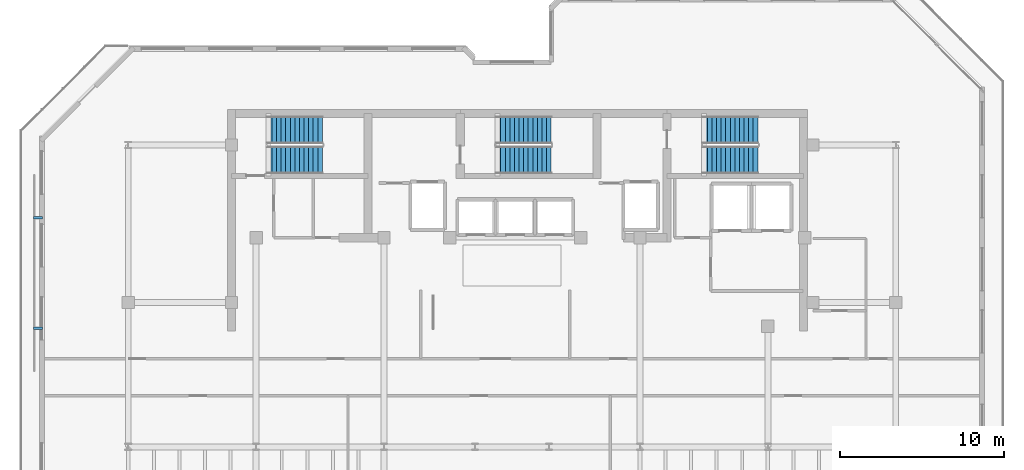
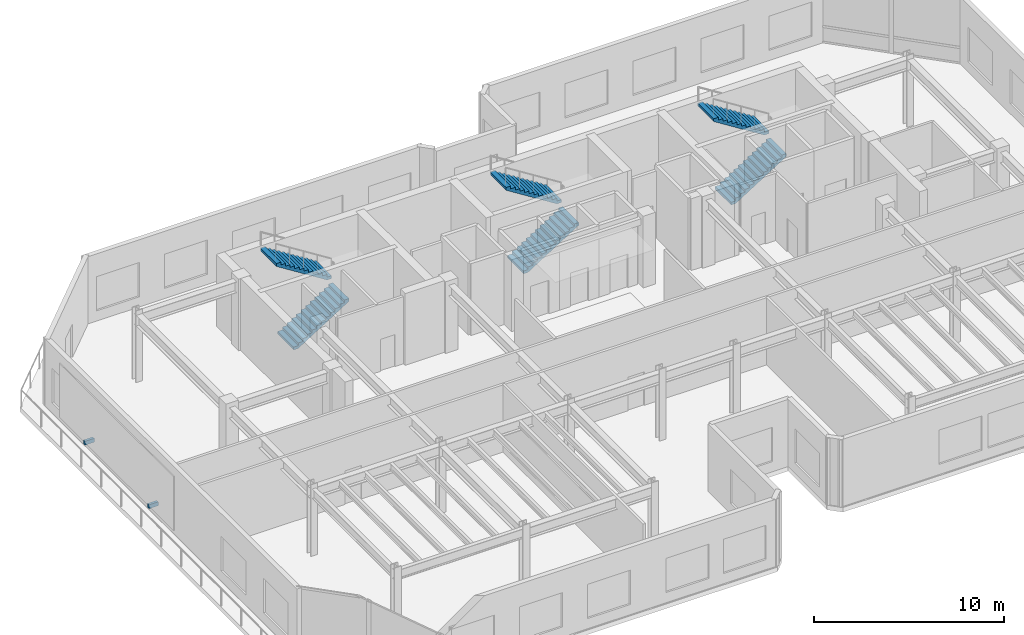
# One storey, part 9 of 12: 6 stair flights, 2 discrete accessories, 3 elements without a shape of their own.
"""IFC4 building model written with IfcOpenShell, lengths in metres."""

from ifc_helpers import new_model, si_unit, direction, frame, origin, origin_2d, place, context, subcontext, project, spatial, polyline, rectangle, outline, extrude, material, type_object, element, aggregate, save


model = new_model("IFC4")

# Units and contexts
model_context = context("Model", 3, precision=1e-05, world=origin(), true_north=direction((0.0, 1.0)))
body_context = subcontext(model_context, "Body", "Model", "MODEL_VIEW")
ifc_project = project(units=[si_unit("LENGTHUNIT", "METRE"), si_unit("AREAUNIT", "SQUARE_METRE"), si_unit("VOLUMEUNIT", "CUBIC_METRE"), si_unit("PLANEANGLEUNIT", "RADIAN"), si_unit("MASSUNIT", "GRAM", prefix="KILO")], contexts=[model_context])

# Site, building, storey
site_placement = place(None, origin())
site = spatial("IfcSite", under=ifc_project, at=site_placement, CompositionType="ELEMENT")
building_placement = place(site_placement, origin())
building = spatial("IfcBuilding", under=site, at=building_placement, Name="Kestravale Grand Hotel", CompositionType="ELEMENT")
storey_placement = place(building_placement, frame((0.0, 0.0, 302.0)))
storey = spatial("IfcBuildingStorey", under=building, at=storey_placement, Name="L75", CompositionType="ELEMENT", Elevation=302.0)

# Stair, stair flights
ifc_material_1 = material(Name="Concrete f'c 45 MPa", Category="concrete")
stair_type = type_object("IfcStairType", Name="ST-CORE-460", PredefinedType="HALF_TURN_STAIR", material=ifc_material_1)
stair_1_placement = place(storey_placement, origin())
stair_1 = element("IfcStair", 1, at=stair_1_placement, inside=storey, type_object=stair_type, Name="L75 ST-1", PredefinedType="HALF_TURN_STAIR")
ifc_material_2 = material(Name="Concrete f'c 45 MPa", Category="concrete")
stair_flight_type = type_object("IfcStairFlightType", Name="STF-CORE-460", PredefinedType="STRAIGHT", material=ifc_material_2)
stair_flight_1_placement = place(storey_placement, frame((24.080078125, 37.489990234375, 0.0), z_axis=(0.0, 0.0, 1.0), x_axis=(1.0, 0.0, 0.0)))
stair_flight_1 = element("IfcStairFlight", 2, at=stair_flight_1_placement, type_object=stair_flight_type, Name="ST-1 flight 1", NumberOfRisers=13, NumberOfTreads=12, PredefinedType="STRAIGHT", RiserHeight=0.176923077, TreadLength=0.28, context=body_context, shape_type="SweptSolid", body=[
    extrude(outline(polyline([(0.0, 0.0), (0.0, 0.177001953125), (0.280029296875, 0.177001953125), (0.280029296875, 0.353759765625), (0.56005859375, 0.353759765625), (0.56005859375, 0.53076171875), (0.840087890625, 0.53076171875), (0.840087890625, 0.707763671875), (1.1201171875, 0.707763671875), (1.1201171875, 0.884521484375), (1.39990234375, 0.884521484375), (1.39990234375, 1.0615234375), (1.679931640625, 1.0615234375), (1.679931640625, 1.238525390625), (1.9599609375, 1.238525390625), (1.9599609375, 1.415283203125), (2.239990234375, 1.415283203125), (2.239990234375, 1.59228515625), (2.52001953125, 1.59228515625), (2.52001953125, 1.769287109375), (2.800048828125, 1.769287109375), (2.800048828125, 1.946044921875), (3.080078125, 1.946044921875), (3.080078125, 2.123046875), (3.360107421875, 2.123046875), (3.360107421875, 2.300048828125), (3.360107421875, 1.94580078125), (0.280517578125, 0.0), (0.0, 0.0)])), frame((0.0, 0.83984375, 0.0), z_axis=(0.0, -1.0, 0.0), x_axis=(1.0, 0.0, 0.0)), (0.0, 0.0, 1.0), 1.679931640625),
])
stair_flight_2_placement = place(storey_placement, frame((27.43994140625, 39.320068359375, 2.300048828125), z_axis=(0.0, 0.0, 1.0), x_axis=(-1.0, 0.0, 0.0)))
stair_flight_2 = element("IfcStairFlight", 3, at=stair_flight_2_placement, type_object=stair_flight_type, Name="ST-1 flight 2", NumberOfRisers=13, NumberOfTreads=12, PredefinedType="STRAIGHT", RiserHeight=0.176923077, TreadLength=0.28, context=body_context, shape_type="SweptSolid", body=[
    extrude(outline(polyline([(0.0, 0.0), (0.0, 0.177001953125), (0.280029296875, 0.177001953125), (0.280029296875, 0.353759765625), (0.56005859375, 0.353759765625), (0.56005859375, 0.53076171875), (0.840087890625, 0.53076171875), (0.840087890625, 0.707763671875), (1.1201171875, 0.707763671875), (1.1201171875, 0.884521484375), (1.39990234375, 0.884521484375), (1.39990234375, 1.0615234375), (1.679931640625, 1.0615234375), (1.679931640625, 1.238525390625), (1.9599609375, 1.238525390625), (1.9599609375, 1.415283203125), (2.239990234375, 1.415283203125), (2.239990234375, 1.59228515625), (2.52001953125, 1.59228515625), (2.52001953125, 1.769287109375), (2.800048828125, 1.769287109375), (2.800048828125, 1.946044921875), (3.080078125, 1.946044921875), (3.080078125, 2.123046875), (3.360107421875, 2.123046875), (3.360107421875, 2.300048828125), (3.360107421875, 1.94580078125), (0.280517578125, 0.0), (0.0, 0.0)])), frame((0.0, 0.83984375, 0.0), z_axis=(0.0, -1.0, 0.0), x_axis=(1.0, 0.0, 0.0)), (0.0, 0.0, 1.0), 1.679931640625),
])
aggregate(stair_1, [stair_flight_1, stair_flight_2])

stair_2_placement = place(storey_placement, origin())
stair_2 = element("IfcStair", 4, at=stair_2_placement, inside=storey, type_object=stair_type, Name="L75 ST-2", PredefinedType="HALF_TURN_STAIR")
stair_flight_3_placement = place(storey_placement, frame((38.030029296875, 37.489990234375, 0.0), z_axis=(0.0, 0.0, 1.0), x_axis=(1.0, 0.0, 0.0)))
stair_flight_3 = element("IfcStairFlight", 5, at=stair_flight_3_placement, type_object=stair_flight_type, Name="ST-2 flight 1", NumberOfRisers=13, NumberOfTreads=12, PredefinedType="STRAIGHT", RiserHeight=0.176923077, TreadLength=0.28, context=body_context, shape_type="SweptSolid", body=[
    extrude(outline(polyline([(0.0, 0.0), (0.0, 0.177001953125), (0.280029296875, 0.177001953125), (0.280029296875, 0.353759765625), (0.56005859375, 0.353759765625), (0.56005859375, 0.53076171875), (0.840087890625, 0.53076171875), (0.840087890625, 0.707763671875), (1.1201171875, 0.707763671875), (1.1201171875, 0.884521484375), (1.39990234375, 0.884521484375), (1.39990234375, 1.0615234375), (1.679931640625, 1.0615234375), (1.679931640625, 1.238525390625), (1.9599609375, 1.238525390625), (1.9599609375, 1.415283203125), (2.239990234375, 1.415283203125), (2.239990234375, 1.59228515625), (2.52001953125, 1.59228515625), (2.52001953125, 1.769287109375), (2.800048828125, 1.769287109375), (2.800048828125, 1.946044921875), (3.080078125, 1.946044921875), (3.080078125, 2.123046875), (3.360107421875, 2.123046875), (3.360107421875, 2.300048828125), (3.360107421875, 1.94580078125), (0.280517578125, 0.0), (0.0, 0.0)])), frame((0.0, 0.83984375, 0.0), z_axis=(0.0, -1.0, 0.0), x_axis=(1.0, 0.0, 0.0)), (0.0, 0.0, 1.0), 1.679931640625),
])
stair_flight_4_placement = place(storey_placement, frame((41.389892578125, 39.320068359375, 2.300048828125), z_axis=(0.0, 0.0, 1.0), x_axis=(-1.0, 0.0, 0.0)))
stair_flight_4 = element("IfcStairFlight", 6, at=stair_flight_4_placement, type_object=stair_flight_type, Name="ST-2 flight 2", NumberOfRisers=13, NumberOfTreads=12, PredefinedType="STRAIGHT", RiserHeight=0.176923077, TreadLength=0.28, context=body_context, shape_type="SweptSolid", body=[
    extrude(outline(polyline([(0.0, 0.0), (0.0, 0.177001953125), (0.280029296875, 0.177001953125), (0.280029296875, 0.353759765625), (0.56005859375, 0.353759765625), (0.56005859375, 0.53076171875), (0.840087890625, 0.53076171875), (0.840087890625, 0.707763671875), (1.1201171875, 0.707763671875), (1.1201171875, 0.884521484375), (1.39990234375, 0.884521484375), (1.39990234375, 1.0615234375), (1.679931640625, 1.0615234375), (1.679931640625, 1.238525390625), (1.9599609375, 1.238525390625), (1.9599609375, 1.415283203125), (2.239990234375, 1.415283203125), (2.239990234375, 1.59228515625), (2.52001953125, 1.59228515625), (2.52001953125, 1.769287109375), (2.800048828125, 1.769287109375), (2.800048828125, 1.946044921875), (3.080078125, 1.946044921875), (3.080078125, 2.123046875), (3.360107421875, 2.123046875), (3.360107421875, 2.300048828125), (3.360107421875, 1.94580078125), (0.280517578125, 0.0), (0.0, 0.0)])), frame((0.0, 0.83984375, 0.0), z_axis=(0.0, -1.0, 0.0), x_axis=(1.0, 0.0, 0.0)), (0.0, 0.0, 1.0), 1.679931640625),
])
aggregate(stair_2, [stair_flight_3, stair_flight_4])

stair_3_placement = place(storey_placement, origin())
stair_3 = element("IfcStair", 7, at=stair_3_placement, inside=storey, type_object=stair_type, Name="L75 ST-3", PredefinedType="HALF_TURN_STAIR")
stair_flight_5_placement = place(storey_placement, frame((50.6298828125, 37.489990234375, 0.0), z_axis=(0.0, 0.0, 1.0), x_axis=(1.0, 0.0, 0.0)))
stair_flight_5 = element("IfcStairFlight", 8, at=stair_flight_5_placement, type_object=stair_flight_type, Name="ST-3 flight 1", NumberOfRisers=13, NumberOfTreads=12, PredefinedType="STRAIGHT", RiserHeight=0.176923077, TreadLength=0.28, context=body_context, shape_type="SweptSolid", body=[
    extrude(outline(polyline([(0.0, 0.0), (0.0, 0.177001953125), (0.280029296875, 0.177001953125), (0.280029296875, 0.353759765625), (0.56005859375, 0.353759765625), (0.56005859375, 0.53076171875), (0.840087890625, 0.53076171875), (0.840087890625, 0.707763671875), (1.1201171875, 0.707763671875), (1.1201171875, 0.884521484375), (1.39990234375, 0.884521484375), (1.39990234375, 1.0615234375), (1.679931640625, 1.0615234375), (1.679931640625, 1.238525390625), (1.9599609375, 1.238525390625), (1.9599609375, 1.415283203125), (2.239990234375, 1.415283203125), (2.239990234375, 1.59228515625), (2.52001953125, 1.59228515625), (2.52001953125, 1.769287109375), (2.800048828125, 1.769287109375), (2.800048828125, 1.946044921875), (3.080078125, 1.946044921875), (3.080078125, 2.123046875), (3.360107421875, 2.123046875), (3.360107421875, 2.300048828125), (3.360107421875, 1.94580078125), (0.280517578125, 0.0), (0.0, 0.0)])), frame((0.0, 0.83984375, 0.0), z_axis=(0.0, -1.0, 0.0), x_axis=(1.0, 0.0, 0.0)), (0.0, 0.0, 1.0), 1.679931640625),
])
stair_flight_6_placement = place(storey_placement, frame((53.989990234375, 39.320068359375, 2.300048828125), z_axis=(0.0, 0.0, 1.0), x_axis=(-1.0, 0.0, 0.0)))
stair_flight_6 = element("IfcStairFlight", 9, at=stair_flight_6_placement, type_object=stair_flight_type, Name="ST-3 flight 2", NumberOfRisers=13, NumberOfTreads=12, PredefinedType="STRAIGHT", RiserHeight=0.176923077, TreadLength=0.28, context=body_context, shape_type="SweptSolid", body=[
    extrude(outline(polyline([(0.0, 0.0), (0.0, 0.177001953125), (0.280029296875, 0.177001953125), (0.280029296875, 0.353759765625), (0.56005859375, 0.353759765625), (0.56005859375, 0.53076171875), (0.840087890625, 0.53076171875), (0.840087890625, 0.707763671875), (1.1201171875, 0.707763671875), (1.1201171875, 0.884521484375), (1.39990234375, 0.884521484375), (1.39990234375, 1.0615234375), (1.679931640625, 1.0615234375), (1.679931640625, 1.238525390625), (1.9599609375, 1.238525390625), (1.9599609375, 1.415283203125), (2.239990234375, 1.415283203125), (2.239990234375, 1.59228515625), (2.52001953125, 1.59228515625), (2.52001953125, 1.769287109375), (2.800048828125, 1.769287109375), (2.800048828125, 1.946044921875), (3.080078125, 1.946044921875), (3.080078125, 2.123046875), (3.360107421875, 2.123046875), (3.360107421875, 2.300048828125), (3.360107421875, 1.94580078125), (0.280517578125, 0.0), (0.0, 0.0)])), frame((0.0, 0.83984375, 0.0), z_axis=(0.0, -1.0, 0.0), x_axis=(1.0, 0.0, 0.0)), (0.0, 0.0, 1.0), 1.679931640625),
])
aggregate(stair_3, [stair_flight_5, stair_flight_6])

# Discrete accessories
ifc_material_3 = material(Name="Steel ASTM A572 Grade 50 hot-dip galvanised bracket", Category="steel")
discrete_accessory_type = type_object("IfcDiscreteAccessoryType", Name="ACC-BRK-STL", PredefinedType="BRACKET", material=ifc_material_3)
for number, where, z_axis, x_axis, name in (
    (10, (10.10498046875, 33.9599609375, 0.56005859375), (0.0, 0.0, 1.0), (0.0, -1.0, 0.0), "L75 solar screen standoff bracket 1"),
    (11, (10.10498046875, 27.239990234375, 0.56005859375), (0.0, 0.0, 1.0), (0.0, -1.0, 0.0), "L75 solar screen standoff bracket 2"),
):
    element("IfcDiscreteAccessory", number, at=place(storey_placement, frame(where, z_axis=z_axis, x_axis=x_axis)), inside=storey, type_object=discrete_accessory_type, Name=name, PredefinedType="BRACKET", context=body_context, shape_type="SweptSolid", body=[
        extrude(rectangle(XDim=0.159912109375, YDim=0.56005859375, at=origin_2d()), origin(), (0.0, 0.0, 1.0), 0.239990234375),
    ])

save(model, "model.ifc")
